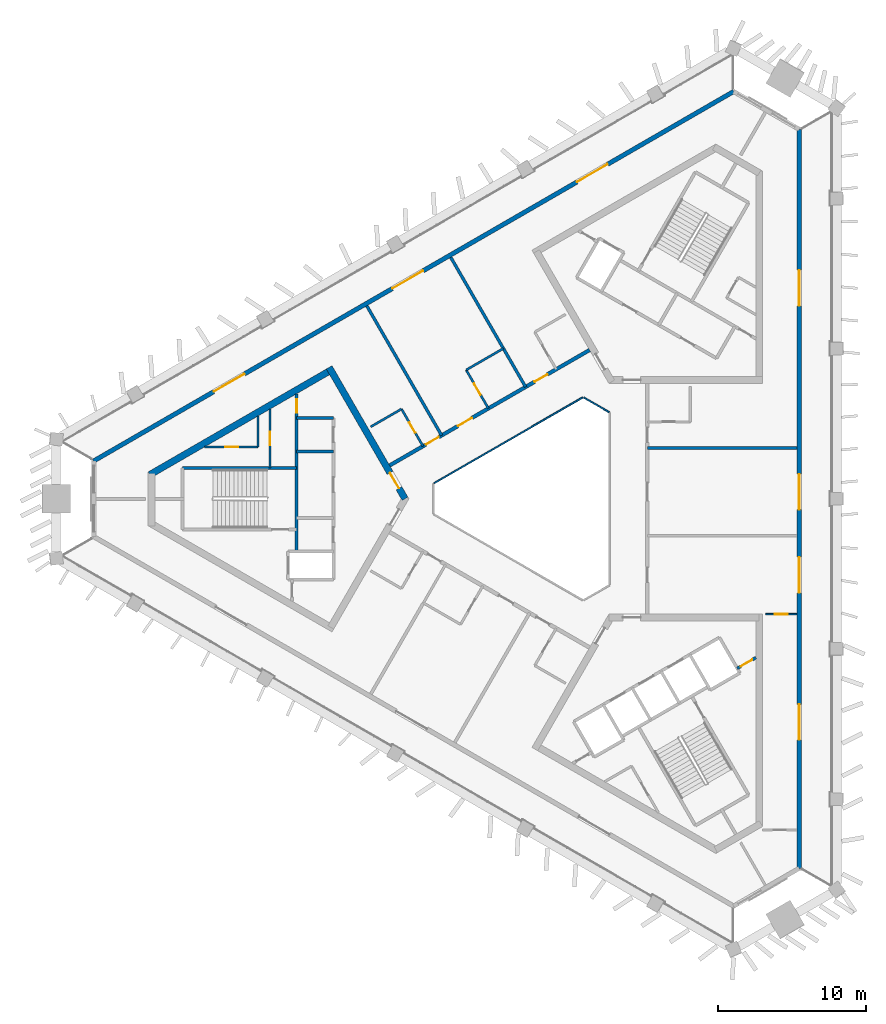
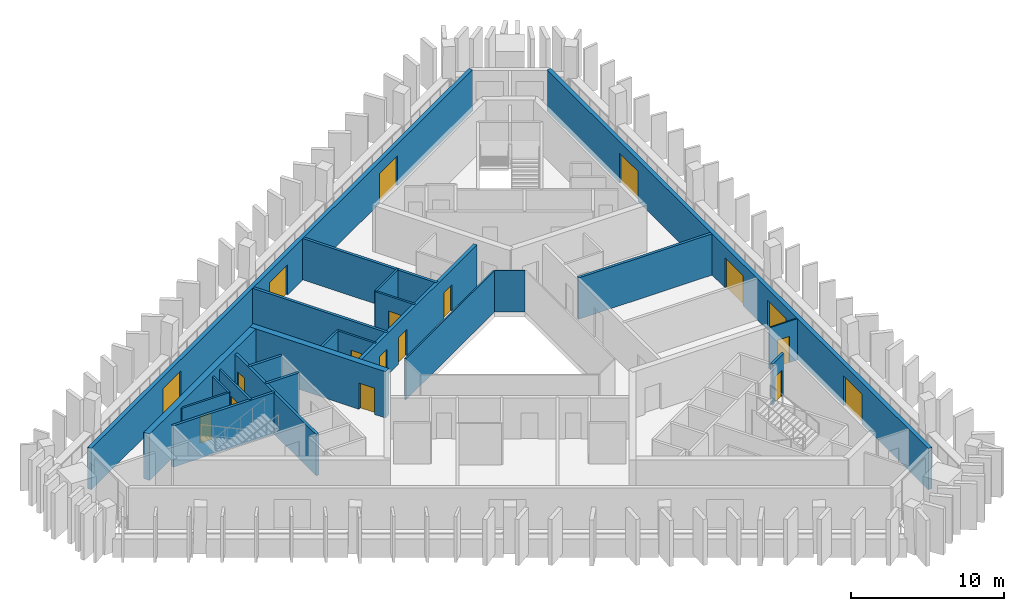
# One storey, part 4 of 9: 23 walls, 18 doors, 18 openings.
"""IFC4 building model written with IfcOpenShell, lengths in metres."""

from ifc_helpers import new_model, si_unit, direction, frame, frame_2d, origin, place, context, subcontext, project, spatial, rectangle, extrude, material, layer, layer_set, type_object, element, fill, save


model = new_model("IFC4")

# Units and contexts
model_context = context("Model", 3, precision=1e-05, world=origin(), true_north=direction((0.0, 1.0)))
body_context = subcontext(model_context, "Body", "Model", "MODEL_VIEW")
ifc_project = project(units=[si_unit("LENGTHUNIT", "METRE"), si_unit("AREAUNIT", "SQUARE_METRE"), si_unit("VOLUMEUNIT", "CUBIC_METRE"), si_unit("PLANEANGLEUNIT", "RADIAN"), si_unit("MASSUNIT", "GRAM", prefix="KILO")], contexts=[model_context])

# Site, building, storey
site_placement = place(None, origin())
site = spatial("IfcSite", under=ifc_project, at=site_placement, CompositionType="ELEMENT")
building_placement = place(site_placement, origin())
building = spatial("IfcBuilding", under=site, at=building_placement, Name="Jabali Bay Hotel Tower and Convention Centre", CompositionType="ELEMENT")
storey_placement = place(building_placement, frame((0.0, 0.0, 235.39990234375)))
storey = spatial("IfcBuildingStorey", under=building, at=storey_placement, Name="L58", CompositionType="ELEMENT", Elevation=235.39990234375)

# Walls
ifc_material_1 = material(Name="Fire-resistant glazing", Category="glass")
ifc_layer_1 = layer(ifc_material_1, 0.10009765625)
ifc_layer_set_1 = layer_set([ifc_layer_1], Name="Fire-resistant glazing")
wall_type_1 = type_object("IfcWallType", Name="Atrium glazed screen 100", PredefinedType="PARTITIONING", material=ifc_layer_set_1)
wall_1_placement = place(storey_placement, frame((79.530029296875, 85.84619140625, 0.0), z_axis=(0.0, 0.0, 1.0), x_axis=(-0.866041268327, 0.499972520799, 0.0)))
element("IfcWall", 1, at=wall_1_placement, inside=storey, type_object=wall_type_1, Name="Atrium screen 2 L58", PredefinedType="PARTITIONING", context=body_context, shape_type="SweptSolid", body=[
    extrude(rectangle(XDim=2.0, YDim=0.10009765625, at=frame_2d((1.0, 0.0))), origin(), (0.0, 0.0, 1.0), 3.300048828125),
])
wall_2_placement = place(storey_placement, frame((77.738037109375, 86.84619140625, 0.0), z_axis=(0.0, 0.0, 1.0), x_axis=(-0.866026658274, -0.499997827154, 0.0)))
element("IfcWall", 2, at=wall_2_placement, inside=storey, type_object=wall_type_1, Name="Atrium screen 3 L58", PredefinedType="PARTITIONING", context=body_context, shape_type="SweptSolid", body=[
    extrude(rectangle(XDim=11.58837890625, YDim=0.10009765625, at=frame_2d((5.794189453125, 0.0))), origin(), (0.0, 0.0, 1.0), 3.300048828125),
])

# Wall, opening, door
ifc_material_2 = material(Name="Concrete C40", Category="concrete")
ifc_layer_2 = layer(ifc_material_2, 0.199951171875)
ifc_layer_set_2 = layer_set([ifc_layer_2], Name="Concrete C40")
wall_type_2 = type_object("IfcWallType", Name="Core partition wall 200", PredefinedType="PARTITIONING", material=ifc_layer_set_2)
wall_3_placement = place(storey_placement, frame((88.164794921875, 68.548095703125, 0.0), z_axis=(0.0, 0.0, 1.0), x_axis=(0.866013036001, 0.500021421018, 0.0)))
wall_3 = element("IfcWall", 3, at=wall_3_placement, inside=storey, type_object=wall_type_2, Name="Core wall 2.12 L58", PredefinedType="PARTITIONING", context=body_context, shape_type="SweptSolid", body=[
    extrude(rectangle(XDim=1.4609375, YDim=0.199951171875, at=frame_2d((0.73046875, 0.0))), origin(), (0.0, 0.0, 1.0), 3.300048828125),
])
opening_1_placement = place(wall_3_placement, frame((0.280517578125, 0.0, 0.0)))
opening_1 = element("IfcOpeningElement", 4, at=opening_1_placement, cuts=wall_3, Name="Opening D1277", PredefinedType="OPENING", context=body_context, shape_type="SweptSolid", body=[
    extrude(rectangle(XDim=0.89990234375, YDim=2.10009765625, at=frame_2d((0.449951171875, 1.050048828125))), frame((0.0, 0.1103515625, 0.0), z_axis=(0.0, -1.0, 0.0), x_axis=(1.0, 0.0, 0.0)), (0.0, 0.0, 1.0), 0.220947265625),
])
ifc_material_3 = material(Name="Fire-rated steel door", Category="steel")
door_type_1 = type_object("IfcDoorType", Name="Vestibule fire door 900 x 2100", OperationType="NOTDEFINED", PredefinedType="NOTDEFINED", material=ifc_material_3)
door_1_placement = place(opening_1_placement, origin())
door_1 = element("IfcDoor", 5, at=door_1_placement, inside=storey, type_object=door_type_1, Name="Vestibule fire door D1277", OperationType="SINGLE_SWING_LEFT", OverallHeight=2.10009765625, OverallWidth=0.89990234375, PredefinedType="NOTDEFINED", context=body_context, shape_type="SweptSolid", body=[
    extrude(rectangle(XDim=0.89990234375, YDim=2.10009765625, at=frame_2d((0.449951171875, 1.050048828125))), frame((0.0, 0.02490234375, 0.0), z_axis=(0.0, -1.0, 0.0), x_axis=(1.0, 0.0, 0.0)), (0.0, 0.0, 1.0), 0.050048828125),
])
fill(opening_1, door_1)

ifc_material_4 = material(Name="Fire-rated board partition")
ifc_layer_3 = layer(ifc_material_4, 0.14990234375)
ifc_layer_set_3 = layer_set([ifc_layer_3], Name="Fire-rated board partition")
wall_type_3 = type_object("IfcWallType", Name="Core room partition 150", PredefinedType="PARTITIONING", material=ifc_layer_set_3)
wall_4_placement = place(storey_placement, frame((55.820068359375, 83.5, 0.0), z_axis=(0.0, 0.0, 1.0), x_axis=(-1.0, 0.0, 0.0)))
wall_4 = element("IfcWall", 6, at=wall_4_placement, inside=storey, type_object=wall_type_3, Name="Core wall 0.1 L58", PredefinedType="PARTITIONING", context=body_context, shape_type="SweptSolid", body=[
    extrude(rectangle(XDim=3.617919921875, YDim=0.14990234375, at=frame_2d((1.80908203125, 0.0))), origin(), (0.0, 0.0, 1.0), 3.300048828125),
])
opening_2_placement = place(wall_4_placement, frame((1.33154296875, 0.0, 0.0)))
opening_2 = element("IfcOpeningElement", 7, at=opening_2_placement, cuts=wall_4, Name="Opening D1266", PredefinedType="OPENING", context=body_context, shape_type="SweptSolid", body=[
    extrude(rectangle(XDim=0.89990234375, YDim=2.10009765625, at=frame_2d((0.449951171875, 1.050048828125))), frame((0.0, 0.08544921875, 0.0), z_axis=(0.0, -1.0, 0.0), x_axis=(1.0, 0.0, 0.0)), (0.0, 0.0, 1.0), 0.1708984375),
])
door_type_2 = type_object("IfcDoorType", Name="Core room door 900 x 2100", OperationType="NOTDEFINED", PredefinedType="NOTDEFINED", material=ifc_material_3)
door_2_placement = place(opening_2_placement, origin())
door_2 = element("IfcDoor", 8, at=door_2_placement, inside=storey, type_object=door_type_2, Name="Core room door D1266", OperationType="SINGLE_SWING_LEFT", OverallHeight=2.10009765625, OverallWidth=0.89990234375, PredefinedType="NOTDEFINED", context=body_context, shape_type="SweptSolid", body=[
    extrude(rectangle(XDim=0.89990234375, YDim=2.10009765625, at=frame_2d((0.449951171875, 1.050048828125))), frame((0.0, 0.02490234375, 0.0), z_axis=(0.0, -1.0, 0.0), x_axis=(1.0, 0.0, 0.0)), (0.0, 0.0, 1.0), 0.050048828125),
])
fill(opening_2, door_2)

wall_5_placement = place(storey_placement, frame((56.6201171875, 86.050537109375, 0.0), z_axis=(0.0, 0.0, 1.0), x_axis=(0.0, -1.0, 0.0)))
wall_5 = element("IfcWall", 9, at=wall_5_placement, inside=storey, type_object=wall_type_3, Name="Core wall 0.13 L58", PredefinedType="PARTITIONING", context=body_context, shape_type="SweptSolid", body=[
    extrude(rectangle(XDim=3.9755859375, YDim=0.14990234375, at=frame_2d((1.98779296875, 0.0))), origin(), (0.0, 0.0, 1.0), 3.300048828125),
])
opening_3_placement = place(wall_5_placement, frame((1.537841796875, 0.0, 0.0)))
opening_3 = element("IfcOpeningElement", 10, at=opening_3_placement, cuts=wall_5, Name="Opening D1262", PredefinedType="OPENING", context=body_context, shape_type="SweptSolid", body=[
    extrude(rectangle(XDim=0.89990234375, YDim=2.10009765625, at=frame_2d((0.449951171875, 1.050048828125))), frame((0.0, 0.08544921875, 0.0), z_axis=(0.0, -1.0, 0.0), x_axis=(1.0, 0.0, 0.0)), (0.0, 0.0, 1.0), 0.1708984375),
])
door_3_placement = place(opening_3_placement, origin())
door_3 = element("IfcDoor", 11, at=door_3_placement, inside=storey, type_object=door_type_2, Name="Core room door D1262", OperationType="SINGLE_SWING_RIGHT", OverallHeight=2.10009765625, OverallWidth=0.89990234375, PredefinedType="NOTDEFINED", context=body_context, shape_type="SweptSolid", body=[
    extrude(rectangle(XDim=0.89990234375, YDim=2.10009765625, at=frame_2d((0.449951171875, 1.050048828125))), frame((0.0, 0.02490234375, 0.0), z_axis=(0.0, -1.0, 0.0), x_axis=(1.0, 0.0, 0.0)), (0.0, 0.0, 1.0), 0.050048828125),
])
fill(opening_3, door_3)

# Walls
wall_6_placement = place(storey_placement, frame((55.820068359375, 85.5888671875, 0.0), z_axis=(0.0, 0.0, 1.0), x_axis=(0.0, -1.0, 0.0)))
element("IfcWall", 12, at=wall_6_placement, inside=storey, type_object=wall_type_3, Name="Core wall 0.14 L58", PredefinedType="PARTITIONING", context=body_context, shape_type="SweptSolid", body=[
    extrude(rectangle(XDim=2.0888671875, YDim=0.14990234375, at=frame_2d((1.04443359375, 0.0))), origin(), (0.0, 0.0, 1.0), 3.300048828125),
])
ifc_layer_4 = layer(ifc_material_2, 0.199951171875)
ifc_layer_set_4 = layer_set([ifc_layer_4], Name="Concrete C40")
wall_type_4 = type_object("IfcWallType", Name="Core stair wall 200", PredefinedType="SOLIDWALL", material=ifc_layer_set_4)
for number, where, z_axis, x_axis, name in (
    (13, (60.89990234375, 85.449951171875, 0.0), (0.0, 0.0, 1.0), (-1.0, 0.0, 0.0), "Core wall 0.0 L58"),
    (14, (60.89990234375, 83.199951171875, 0.0), (0.0, 0.0, 1.0), (-1.0, 0.0, 0.0), "Core wall 0.2 L58"),
):
    element("IfcWall", number, at=place(storey_placement, frame(where, z_axis=z_axis, x_axis=x_axis)), inside=storey, type_object=wall_type_4, Name=name, PredefinedType="SOLIDWALL", context=body_context, shape_type="SweptSolid", body=[
        extrude(rectangle(XDim=2.47998046875, YDim=0.199951171875, at=frame_2d((1.239990234375, 0.0))), origin(), (0.0, 0.0, 1.0), 3.300048828125),
    ])
wall_7_placement = place(storey_placement, frame((58.419921875, 82.074951171875, 0.0), z_axis=(0.0, 0.0, 1.0), x_axis=(-1.0, 0.0, 0.0)))
element("IfcWall", 15, at=wall_7_placement, inside=storey, type_object=wall_type_4, Name="Core wall 0.3 L58", PredefinedType="SOLIDWALL", context=body_context, shape_type="SweptSolid", body=[
    extrude(rectangle(XDim=7.699951171875, YDim=0.199951171875, at=frame_2d((3.85009765625, 0.0))), origin(), (0.0, 0.0, 1.0), 3.300048828125),
])

# Wall, opening, door
wall_8_placement = place(storey_placement, frame((58.419921875, 87.08984375, 0.0), z_axis=(0.0, 0.0, 1.0), x_axis=(0.0, -1.0, 0.0)))
wall_8 = element("IfcWall", 16, at=wall_8_placement, inside=storey, type_object=wall_type_4, Name="Core wall 0.10 L58", PredefinedType="SOLIDWALL", context=body_context, shape_type="SweptSolid", body=[
    extrude(rectangle(XDim=10.639892578125, YDim=0.199951171875, at=frame_2d((5.31982421875, 0.0))), origin(), (0.0, 0.0, 1.0), 3.300048828125),
])
opening_4_placement = place(wall_8_placement, frame((0.369873046875, 0.0, 0.0)))
opening_4 = element("IfcOpeningElement", 17, at=opening_4_placement, cuts=wall_8, Name="Opening D1264", PredefinedType="OPENING", context=body_context, shape_type="SweptSolid", body=[
    extrude(rectangle(XDim=0.89990234375, YDim=2.10009765625, at=frame_2d((0.449951171875, 1.050048828125))), frame((0.0, 0.1103515625, 0.0), z_axis=(0.0, -1.0, 0.0), x_axis=(1.0, 0.0, 0.0)), (0.0, 0.0, 1.0), 0.220947265625),
])
door_4_placement = place(opening_4_placement, origin())
door_4 = element("IfcDoor", 18, at=door_4_placement, inside=storey, type_object=door_type_1, Name="Vestibule fire door D1264", OperationType="SINGLE_SWING_LEFT", OverallHeight=2.10009765625, OverallWidth=0.89990234375, PredefinedType="NOTDEFINED", context=body_context, shape_type="SweptSolid", body=[
    extrude(rectangle(XDim=0.89990234375, YDim=2.10009765625, at=frame_2d((0.449951171875, 1.050048828125))), frame((0.0, 0.02490234375, 0.0), z_axis=(0.0, -1.0, 0.0), x_axis=(1.0, 0.0, 0.0)), (0.0, 0.0, 1.0), 0.050048828125),
])
fill(opening_4, door_4)

ifc_material_5 = material(Name="Concrete C60", Category="concrete")
ifc_layer_5 = layer(ifc_material_5, 0.449951171875)
ifc_layer_set_5 = layer_set([ifc_layer_5], Name="Concrete C60")
wall_type_5 = type_object("IfcWallType", Name="Core wall 450", PredefinedType="SHEAR", material=ifc_layer_set_5)
wall_9_placement = place(storey_placement, frame((65.740234375, 80.0, 0.0), z_axis=(0.0, 0.0, 1.0), x_axis=(-0.499991857942, 0.866030104553, 0.0)))
wall_9 = element("IfcWall", 19, at=wall_9_placement, inside=storey, type_object=wall_type_5, Name="Core wall 1.1 L58", PredefinedType="SHEAR", context=body_context, shape_type="SweptSolid", body=[
    extrude(rectangle(XDim=10.250244140625, YDim=0.449951171875, at=frame_2d((5.125, 0.0))), origin(), (0.0, 0.0, 1.0), 3.7001953125),
])
opening_5_placement = place(wall_9_placement, frame((0.820068359375, 0.0, 0.0)))
opening_5 = element("IfcOpeningElement", 20, at=opening_5_placement, cuts=wall_9, Name="Opening D1257", PredefinedType="OPENING", context=body_context, shape_type="SweptSolid", body=[
    extrude(rectangle(XDim=1.199951171875, YDim=2.10009765625, at=frame_2d((0.60009765625, 1.050048828125))), frame((0.0, 0.2353515625, 0.0), z_axis=(0.0, -1.0, 0.0), x_axis=(1.0, 0.0, 0.0)), (0.0, 0.0, 1.0), 0.470947265625),
])
door_type_3 = type_object("IfcDoorType", Name="Corridor end fire door 1200 x 2100", OperationType="NOTDEFINED", PredefinedType="NOTDEFINED", material=ifc_material_3)
door_5_placement = place(opening_5_placement, origin())
door_5 = element("IfcDoor", 21, at=door_5_placement, inside=storey, type_object=door_type_3, Name="Corridor end fire door D1257", OperationType="SINGLE_SWING_RIGHT", OverallHeight=2.10009765625, OverallWidth=1.199951171875, PredefinedType="NOTDEFINED", context=body_context, shape_type="SweptSolid", body=[
    extrude(rectangle(XDim=1.199951171875, YDim=2.10009765625, at=frame_2d((0.60009765625, 1.050048828125))), frame((0.0, 0.02490234375, 0.0), z_axis=(0.0, -1.0, 0.0), x_axis=(1.0, 0.0, 0.0)), (0.0, 0.0, 1.0), 0.050048828125),
])
fill(opening_5, door_5)

# Wall
wall_10_placement = place(storey_placement, frame((60.7275390625, 88.681884765625, 0.0), z_axis=(0.0, 0.0, 1.0), x_axis=(-0.866021613849, -0.500006564303, 0.0)))
element("IfcWall", 22, at=wall_10_placement, inside=storey, type_object=wall_type_5, Name="Core wall 1.2 L58", PredefinedType="SHEAR", context=body_context, shape_type="SweptSolid", body=[
    extrude(rectangle(XDim=14.108154296875, YDim=0.449951171875, at=frame_2d((7.05419921875, 0.0))), origin(), (0.0, 0.0, 1.0), 3.7001953125),
])

# Wall, openings, doors
ifc_layer_6 = layer(ifc_material_5, 0.25)
ifc_layer_set_6 = layer_set([ifc_layer_6], Name="Concrete C60")
wall_type_6 = type_object("IfcWallType", Name="Corridor wall 250", PredefinedType="SHEAR", material=ifc_layer_set_6)
wall_11_placement = place(storey_placement, frame((78.199951171875, 90.0458984375, 0.0), z_axis=(0.0, 0.0, 1.0), x_axis=(-0.866026492143, -0.499998114903, 0.0)))
wall_11 = element("IfcWall", 23, at=wall_11_placement, inside=storey, type_object=wall_type_6, Name="Corridor wall 2 L58", PredefinedType="SHEAR", context=body_context, shape_type="SweptSolid", body=[
    extrude(rectangle(XDim=15.58837890625, YDim=0.25, at=frame_2d((7.794189453125, 0.0))), origin(), (0.0, 0.0, 1.0), 3.300048828125),
])
opening_6_placement = place(wall_11_placement, frame((3.294189453125, 0.0, 0.0)))
opening_6 = element("IfcOpeningElement", 24, at=opening_6_placement, cuts=wall_11, Name="Opening 5808", PredefinedType="OPENING", context=body_context, shape_type="SweptSolid", body=[
    extrude(rectangle(XDim=1.0, YDim=2.10009765625, at=frame_2d((0.5, 1.050048828125))), frame((0.0, 0.135498046875, 0.0), z_axis=(0.0, -1.0, 0.0), x_axis=(1.0, 0.0, 0.0)), (0.0, 0.0, 1.0), 0.27099609375),
])
opening_7_placement = place(wall_11_placement, frame((9.161865234375, 0.0, 0.0)))
opening_7 = element("IfcOpeningElement", 25, at=opening_7_placement, cuts=wall_11, Name="Opening 5810", PredefinedType="OPENING", context=body_context, shape_type="SweptSolid", body=[
    extrude(rectangle(XDim=1.10009765625, YDim=2.10009765625, at=frame_2d((0.550048828125, 1.050048828125))), frame((0.0, 0.135498046875, 0.0), z_axis=(0.0, -1.0, 0.0), x_axis=(1.0, 0.0, 0.0)), (0.0, 0.0, 1.0), 0.27099609375),
])
opening_8_placement = place(wall_11_placement, frame((11.761962890625, 0.0, 0.0)))
opening_8 = element("IfcOpeningElement", 26, at=opening_8_placement, cuts=wall_11, Name="Opening 5812", PredefinedType="OPENING", context=body_context, shape_type="SweptSolid", body=[
    extrude(rectangle(XDim=1.0, YDim=2.10009765625, at=frame_2d((0.5, 1.050048828125))), frame((0.0, 0.135498046875, 0.0), z_axis=(0.0, -1.0, 0.0), x_axis=(1.0, 0.0, 0.0)), (0.0, 0.0, 1.0), 0.27099609375),
])
ifc_material_6 = material(Name="Timber", Category="wood")
door_type_4 = type_object("IfcDoorType", Name="Accessible guest room door 1100 x 2100", OperationType="NOTDEFINED", PredefinedType="NOTDEFINED", material=ifc_material_6)
door_6_placement = place(opening_7_placement, origin())
door_6 = element("IfcDoor", 27, at=door_6_placement, inside=storey, type_object=door_type_4, Name="Door 5810", OperationType="SINGLE_SWING_RIGHT", OverallHeight=2.10009765625, OverallWidth=1.10009765625, PredefinedType="NOTDEFINED", context=body_context, shape_type="SweptSolid", body=[
    extrude(rectangle(XDim=1.10009765625, YDim=2.10009765625, at=frame_2d((0.550048828125, 1.050048828125))), frame((0.0, 0.02490234375, 0.0), z_axis=(0.0, -1.0, 0.0), x_axis=(1.0, 0.0, 0.0)), (0.0, 0.0, 1.0), 0.050048828125),
])
fill(opening_7, door_6)
door_type_5 = type_object("IfcDoorType", Name="Guest room door 1000 x 2100", OperationType="NOTDEFINED", PredefinedType="NOTDEFINED", material=ifc_material_6)
door_7_placement = place(opening_6_placement, origin())
door_7 = element("IfcDoor", 28, at=door_7_placement, inside=storey, type_object=door_type_5, Name="Door 5808", OperationType="SINGLE_SWING_LEFT", OverallHeight=2.10009765625, OverallWidth=1.0, PredefinedType="NOTDEFINED", context=body_context, shape_type="SweptSolid", body=[
    extrude(rectangle(XDim=1.0, YDim=2.10009765625, at=frame_2d((0.5, 1.050048828125))), frame((0.0, 0.02490234375, 0.0), z_axis=(0.0, -1.0, 0.0), x_axis=(1.0, 0.0, 0.0)), (0.0, 0.0, 1.0), 0.050048828125),
])
fill(opening_6, door_7)
door_8_placement = place(opening_8_placement, origin())
door_8 = element("IfcDoor", 29, at=door_8_placement, inside=storey, type_object=door_type_5, Name="Door 5812", OperationType="SINGLE_SWING_RIGHT", OverallHeight=2.10009765625, OverallWidth=1.0, PredefinedType="NOTDEFINED", context=body_context, shape_type="SweptSolid", body=[
    extrude(rectangle(XDim=1.0, YDim=2.10009765625, at=frame_2d((0.5, 1.050048828125))), frame((0.0, 0.02490234375, 0.0), z_axis=(0.0, -1.0, 0.0), x_axis=(1.0, 0.0, 0.0)), (0.0, 0.0, 1.0), 0.050048828125),
])
fill(opening_8, door_8)

ifc_layer_7 = layer(ifc_material_2, 0.300048828125)
ifc_layer_set_7 = layer_set([ifc_layer_7], Name="Concrete C40")
wall_type_7 = type_object("IfcWallType", Name="External wall 300", PredefinedType="SOLIDWALL", material=ifc_layer_set_7)
wall_12_placement = place(storey_placement, frame((92.353271484375, 104.95166015625, 0.0), z_axis=(0.0, 0.0, 1.0), x_axis=(0.0, -1.0, 0.0)))
wall_12 = element("IfcWall", 30, at=wall_12_placement, inside=storey, type_object=wall_type_7, Name="External wall east face L58", PredefinedType="SOLIDWALL", context=body_context, shape_type="SweptSolid", body=[
    extrude(rectangle(XDim=49.9033203125, YDim=0.300048828125, at=frame_2d((24.95166015625, 0.0))), origin(), (0.0, 0.0, 1.0), 3.300048828125),
])
opening_9_placement = place(wall_12_placement, frame((28.895751953125, 0.0, 0.0)))
opening_9 = element("IfcOpeningElement", 31, at=opening_9_placement, cuts=wall_12, Name="Opening SD1", PredefinedType="OPENING", context=body_context, shape_type="SweptSolid", body=[
    extrude(rectangle(XDim=2.39990234375, YDim=2.39990234375, at=frame_2d((1.199951171875, 1.199951171875))), frame((0.0, 0.16064453125, 0.0), z_axis=(0.0, -1.0, 0.0), x_axis=(1.0, 0.0, 0.0)), (0.0, 0.0, 1.0), 0.321044921875),
])
opening_10_placement = place(wall_12_placement, frame((38.83642578125, 0.0, 0.0)))
opening_10 = element("IfcOpeningElement", 32, at=opening_10_placement, cuts=wall_12, Name="Opening SD1", PredefinedType="OPENING", context=body_context, shape_type="SweptSolid", body=[
    extrude(rectangle(XDim=2.39990234375, YDim=2.39990234375, at=frame_2d((1.199951171875, 1.199951171875))), frame((0.0, 0.16064453125, 0.0), z_axis=(0.0, -1.0, 0.0), x_axis=(1.0, 0.0, 0.0)), (0.0, 0.0, 1.0), 0.321044921875),
])
opening_11_placement = place(wall_12_placement, frame((9.517822265625, 0.0, 0.0)))
opening_11 = element("IfcOpeningElement", 33, at=opening_11_placement, cuts=wall_12, Name="Opening SD1", PredefinedType="OPENING", context=body_context, shape_type="SweptSolid", body=[
    extrude(rectangle(XDim=2.39990234375, YDim=2.39990234375, at=frame_2d((1.199951171875, 1.199951171875))), frame((0.0, 0.16064453125, 0.0), z_axis=(0.0, -1.0, 0.0), x_axis=(1.0, 0.0, 0.0)), (0.0, 0.0, 1.0), 0.321044921875),
])
opening_12_placement = place(wall_12_placement, frame((23.283935546875, 0.0, 0.0)))
opening_12 = element("IfcOpeningElement", 34, at=opening_12_placement, cuts=wall_12, Name="Opening SD1", PredefinedType="OPENING", context=body_context, shape_type="SweptSolid", body=[
    extrude(rectangle(XDim=2.39990234375, YDim=2.39990234375, at=frame_2d((1.199951171875, 1.199951171875))), frame((0.0, 0.16064453125, 0.0), z_axis=(0.0, -1.0, 0.0), x_axis=(1.0, 0.0, 0.0)), (0.0, 0.0, 1.0), 0.321044921875),
])
ifc_material_7 = material(Name="Glass", Category="glass")
door_type_6 = type_object("IfcDoorType", Name="Loggia sliding door 2400 x 2400", OperationType="NOTDEFINED", PredefinedType="NOTDEFINED", material=ifc_material_7)
door_9_placement = place(opening_9_placement, origin())
door_9 = element("IfcDoor", 35, at=door_9_placement, inside=storey, type_object=door_type_6, Name="Loggia sliding door 5801", OperationType="SLIDING_TO_LEFT", OverallHeight=2.39990234375, OverallWidth=2.39990234375, PredefinedType="NOTDEFINED", context=body_context, shape_type="SweptSolid", body=[
    extrude(rectangle(XDim=2.39990234375, YDim=2.39990234375, at=frame_2d((1.199951171875, 1.199951171875))), frame((0.0, 0.02490234375, 0.0), z_axis=(0.0, -1.0, 0.0), x_axis=(1.0, 0.0, 0.0)), (0.0, 0.0, 1.0), 0.050048828125),
])
fill(opening_9, door_9)
door_10_placement = place(opening_10_placement, origin())
door_10 = element("IfcDoor", 36, at=door_10_placement, inside=storey, type_object=door_type_6, Name="Loggia sliding door 5801", OperationType="SLIDING_TO_RIGHT", OverallHeight=2.39990234375, OverallWidth=2.39990234375, PredefinedType="NOTDEFINED", context=body_context, shape_type="SweptSolid", body=[
    extrude(rectangle(XDim=2.39990234375, YDim=2.39990234375, at=frame_2d((1.199951171875, 1.199951171875))), frame((0.0, 0.02490234375, 0.0), z_axis=(0.0, -1.0, 0.0), x_axis=(1.0, 0.0, 0.0)), (0.0, 0.0, 1.0), 0.050048828125),
])
fill(opening_10, door_10)
door_11_placement = place(opening_11_placement, origin())
door_11 = element("IfcDoor", 37, at=door_11_placement, inside=storey, type_object=door_type_6, Name="Loggia sliding door 5802", OperationType="SLIDING_TO_LEFT", OverallHeight=2.39990234375, OverallWidth=2.39990234375, PredefinedType="NOTDEFINED", context=body_context, shape_type="SweptSolid", body=[
    extrude(rectangle(XDim=2.39990234375, YDim=2.39990234375, at=frame_2d((1.199951171875, 1.199951171875))), frame((0.0, 0.02490234375, 0.0), z_axis=(0.0, -1.0, 0.0), x_axis=(1.0, 0.0, 0.0)), (0.0, 0.0, 1.0), 0.050048828125),
])
fill(opening_11, door_11)
door_12_placement = place(opening_12_placement, origin())
door_12 = element("IfcDoor", 38, at=door_12_placement, inside=storey, type_object=door_type_6, Name="Loggia sliding door", OperationType="SLIDING_TO_RIGHT", OverallHeight=2.39990234375, OverallWidth=2.39990234375, PredefinedType="NOTDEFINED", context=body_context, shape_type="SweptSolid", body=[
    extrude(rectangle(XDim=2.39990234375, YDim=2.39990234375, at=frame_2d((1.199951171875, 1.199951171875))), frame((0.0, 0.02490234375, 0.0), z_axis=(0.0, -1.0, 0.0), x_axis=(1.0, 0.0, 0.0)), (0.0, 0.0, 1.0), 0.050048828125),
])
fill(opening_12, door_12)

wall_13_placement = place(storey_placement, frame((44.714599609375, 82.552490234375, 0.0), z_axis=(0.0, 0.0, 1.0), x_axis=(0.866025334516, 0.500000119977, 0.0)))
wall_13 = element("IfcWall", 39, at=wall_13_placement, inside=storey, type_object=wall_type_7, Name="External wall north-west face L58", PredefinedType="SOLIDWALL", context=body_context, shape_type="SweptSolid", body=[
    extrude(rectangle(XDim=49.9033203125, YDim=0.300048828125, at=frame_2d((24.95166015625, 0.0))), origin(), (0.0, 0.0, 1.0), 3.300048828125),
])
opening_13_placement = place(wall_13_placement, frame((23.283935546875, 0.0, 0.0)))
opening_13 = element("IfcOpeningElement", 40, at=opening_13_placement, cuts=wall_13, Name="Opening SD1", PredefinedType="OPENING", context=body_context, shape_type="SweptSolid", body=[
    extrude(rectangle(XDim=2.39990234375, YDim=2.39990234375, at=frame_2d((1.199951171875, 1.199951171875))), frame((0.0, 0.16064453125, 0.0), z_axis=(0.0, -1.0, 0.0), x_axis=(1.0, 0.0, 0.0)), (0.0, 0.0, 1.0), 0.321044921875),
])
opening_14_placement = place(wall_13_placement, frame((37.673583984375, 0.0, 0.0)))
opening_14 = element("IfcOpeningElement", 41, at=opening_14_placement, cuts=wall_13, Name="Opening SD1", PredefinedType="OPENING", context=body_context, shape_type="SweptSolid", body=[
    extrude(rectangle(XDim=2.39990234375, YDim=2.39990234375, at=frame_2d((1.199951171875, 1.199951171875))), frame((0.0, 0.16064453125, 0.0), z_axis=(0.0, -1.0, 0.0), x_axis=(1.0, 0.0, 0.0)), (0.0, 0.0, 1.0), 0.321044921875),
])
opening_15_placement = place(wall_13_placement, frame((9.36181640625, 0.0, 0.0)))
opening_15 = element("IfcOpeningElement", 42, at=opening_15_placement, cuts=wall_13, Name="Opening SD1", PredefinedType="OPENING", context=body_context, shape_type="SweptSolid", body=[
    extrude(rectangle(XDim=2.39990234375, YDim=2.39990234375, at=frame_2d((1.199951171875, 1.199951171875))), frame((0.0, 0.16064453125, 0.0), z_axis=(0.0, -1.0, 0.0), x_axis=(1.0, 0.0, 0.0)), (0.0, 0.0, 1.0), 0.321044921875),
])
door_13_placement = place(opening_13_placement, origin())
door_13 = element("IfcDoor", 43, at=door_13_placement, inside=storey, type_object=door_type_6, Name="Loggia sliding door 5804", OperationType="SLIDING_TO_LEFT", OverallHeight=2.39990234375, OverallWidth=2.39990234375, PredefinedType="NOTDEFINED", context=body_context, shape_type="SweptSolid", body=[
    extrude(rectangle(XDim=2.39990234375, YDim=2.39990234375, at=frame_2d((1.199951171875, 1.199951171875))), frame((0.0, 0.02490234375, 0.0), z_axis=(0.0, -1.0, 0.0), x_axis=(1.0, 0.0, 0.0)), (0.0, 0.0, 1.0), 0.050048828125),
])
fill(opening_13, door_13)
door_14_placement = place(opening_14_placement, origin())
door_14 = element("IfcDoor", 44, at=door_14_placement, inside=storey, type_object=door_type_6, Name="Loggia sliding door 5803", OperationType="SLIDING_TO_RIGHT", OverallHeight=2.39990234375, OverallWidth=2.39990234375, PredefinedType="NOTDEFINED", context=body_context, shape_type="SweptSolid", body=[
    extrude(rectangle(XDim=2.39990234375, YDim=2.39990234375, at=frame_2d((1.199951171875, 1.199951171875))), frame((0.0, 0.02490234375, 0.0), z_axis=(0.0, -1.0, 0.0), x_axis=(1.0, 0.0, 0.0)), (0.0, 0.0, 1.0), 0.050048828125),
])
fill(opening_14, door_14)
door_15_placement = place(opening_15_placement, origin())
door_15 = element("IfcDoor", 45, at=door_15_placement, inside=storey, type_object=door_type_6, Name="Loggia sliding door 5805", OperationType="SLIDING_TO_LEFT", OverallHeight=2.39990234375, OverallWidth=2.39990234375, PredefinedType="NOTDEFINED", context=body_context, shape_type="SweptSolid", body=[
    extrude(rectangle(XDim=2.39990234375, YDim=2.39990234375, at=frame_2d((1.199951171875, 1.199951171875))), frame((0.0, 0.02490234375, 0.0), z_axis=(0.0, -1.0, 0.0), x_axis=(1.0, 0.0, 0.0)), (0.0, 0.0, 1.0), 0.050048828125),
])
fill(opening_15, door_15)

# Wall, opening, door
ifc_material_8 = material(Name="Plasterboard on steel stud", Category="steel")
ifc_layer_8 = layer(ifc_material_8, 0.10009765625)
ifc_layer_set_8 = layer_set([ifc_layer_8], Name="Plasterboard on steel stud")
wall_type_8 = type_object("IfcWallType", Name="Partition 100 unit", PredefinedType="PARTITIONING", material=ifc_layer_set_8)
wall_14_placement = place(storey_placement, frame((90.0791015625, 72.205810546875, 0.0), z_axis=(0.0, 0.0, 1.0), x_axis=(1.0, 0.0, 0.0)))
wall_14 = element("IfcWall", 46, at=wall_14_placement, inside=storey, type_object=wall_type_8, Name="Partition P02 L58 001", PredefinedType="PARTITIONING", context=body_context, shape_type="SweptSolid", body=[
    extrude(rectangle(XDim=2.125, YDim=0.10009765625, at=frame_2d((1.0625, 0.0))), origin(), (0.0, 0.0, 1.0), 3.300048828125),
])
opening_16_placement = place(wall_14_placement, frame((0.613037109375, 0.0, 0.0)))
opening_16 = element("IfcOpeningElement", 47, at=opening_16_placement, cuts=wall_14, Name="Opening 5802", PredefinedType="OPENING", context=body_context, shape_type="SweptSolid", body=[
    extrude(rectangle(XDim=0.89990234375, YDim=2.10009765625, at=frame_2d((0.449951171875, 1.050048828125))), frame((0.0, 0.060546875, 0.0), z_axis=(0.0, -1.0, 0.0), x_axis=(1.0, 0.0, 0.0)), (0.0, 0.0, 1.0), 0.12109375),
])
door_type_7 = type_object("IfcDoorType", Name="Internal door 900 x 2100", OperationType="NOTDEFINED", PredefinedType="NOTDEFINED", material=ifc_material_6)
door_16_placement = place(opening_16_placement, origin())
door_16 = element("IfcDoor", 48, at=door_16_placement, inside=storey, type_object=door_type_7, Name="Door 5802", OperationType="SINGLE_SWING_RIGHT", OverallHeight=2.10009765625, OverallWidth=0.89990234375, PredefinedType="NOTDEFINED", context=body_context, shape_type="SweptSolid", body=[
    extrude(rectangle(XDim=0.89990234375, YDim=2.10009765625, at=frame_2d((0.449951171875, 1.050048828125))), frame((0.0, 0.02490234375, 0.0), z_axis=(0.0, -1.0, 0.0), x_axis=(1.0, 0.0, 0.0)), (0.0, 0.0, 1.0), 0.050048828125),
])
fill(opening_16, door_16)

ifc_layer_9 = layer(ifc_material_8, 0.14990234375)
ifc_layer_set_9 = layer_set([ifc_layer_9], Name="Plasterboard on steel stud")
wall_type_9 = type_object("IfcWallType", Name="Partition 150 wet", PredefinedType="PARTITIONING", material=ifc_layer_set_9)
wall_15_placement = place(storey_placement, frame((71.368408203125, 86.101806640625, 0.0), z_axis=(0.0, 0.0, 1.0), x_axis=(-0.50002537861, 0.866010750942, 0.0)))
wall_15 = element("IfcWall", 49, at=wall_15_placement, inside=storey, type_object=wall_type_9, Name="Partition P03 L58 012", PredefinedType="PARTITIONING", context=body_context, shape_type="SweptSolid", body=[
    extrude(rectangle(XDim=2.999755859375, YDim=0.14990234375, at=frame_2d((1.5, 0.0))), origin(), (0.0, 0.0, 1.0), 3.300048828125),
])
opening_17_placement = place(wall_15_placement, frame((1.050048828125, 0.0, 0.0)))
opening_17 = element("IfcOpeningElement", 50, at=opening_17_placement, cuts=wall_15, Name="Opening 5809", PredefinedType="OPENING", context=body_context, shape_type="SweptSolid", body=[
    extrude(rectangle(XDim=0.89990234375, YDim=2.10009765625, at=frame_2d((0.449951171875, 1.050048828125))), frame((0.0, 0.08544921875, 0.0), z_axis=(0.0, -1.0, 0.0), x_axis=(1.0, 0.0, 0.0)), (0.0, 0.0, 1.0), 0.1708984375),
])
door_type_8 = type_object("IfcDoorType", Name="Accessible en-suite door 900 x 2100", OperationType="NOTDEFINED", PredefinedType="NOTDEFINED", material=ifc_material_6)
door_17_placement = place(opening_17_placement, origin())
door_17 = element("IfcDoor", 51, at=door_17_placement, inside=storey, type_object=door_type_8, Name="Door 5809", OperationType="SINGLE_SWING_LEFT", OverallHeight=2.10009765625, OverallWidth=0.89990234375, PredefinedType="NOTDEFINED", context=body_context, shape_type="SweptSolid", body=[
    extrude(rectangle(XDim=0.89990234375, YDim=2.10009765625, at=frame_2d((0.449951171875, 1.050048828125))), frame((0.0, 0.02490234375, 0.0), z_axis=(0.0, -1.0, 0.0), x_axis=(1.0, 0.0, 0.0)), (0.0, 0.0, 1.0), 0.050048828125),
])
fill(opening_17, door_17)

# Walls
wall_16_placement = place(storey_placement, frame((69.868408203125, 88.69970703125, 0.0), z_axis=(0.0, 0.0, 1.0), x_axis=(0.865996321171, 0.50005036918, 0.0)))
element("IfcWall", 52, at=wall_16_placement, inside=storey, type_object=wall_type_9, Name="Partition P03 L58 013", PredefinedType="PARTITIONING", context=body_context, shape_type="SweptSolid", body=[
    extrude(rectangle(XDim=2.900146484375, YDim=0.14990234375, at=frame_2d((1.4501953125, 0.0))), origin(), (0.0, 0.0, 1.0), 3.300048828125),
])
wall_17_placement = place(storey_placement, frame((63.42236328125, 84.862548828125, 0.0), z_axis=(0.0, 0.0, 1.0), x_axis=(0.865994240961, 0.500053971709, 0.0)))
element("IfcWall", 53, at=wall_17_placement, inside=storey, type_object=wall_type_9, Name="Partition P03 L58 015", PredefinedType="PARTITIONING", context=body_context, shape_type="SweptSolid", body=[
    extrude(rectangle(XDim=2.401123046875, YDim=0.14990234375, at=frame_2d((1.20068359375, 0.0))), origin(), (0.0, 0.0, 1.0), 3.300048828125),
])

# Wall, opening, door
wall_18_placement = place(storey_placement, frame((65.501708984375, 86.063232421875, 0.0), z_axis=(0.0, 0.0, 1.0), x_axis=(0.499987231761, -0.866032775405, 0.0)))
wall_18 = element("IfcWall", 54, at=wall_18_placement, inside=storey, type_object=wall_type_9, Name="Partition P03 L58 016", PredefinedType="PARTITIONING", context=body_context, shape_type="SweptSolid", body=[
    extrude(rectangle(XDim=2.89990234375, YDim=0.14990234375, at=frame_2d((1.449951171875, 0.0))), origin(), (0.0, 0.0, 1.0), 3.300048828125),
])
opening_18_placement = place(wall_18_placement, frame((1.050048828125, 0.0, 0.0)))
opening_18 = element("IfcOpeningElement", 55, at=opening_18_placement, cuts=wall_18, Name="Opening 5811", PredefinedType="OPENING", context=body_context, shape_type="SweptSolid", body=[
    extrude(rectangle(XDim=0.800048828125, YDim=2.10009765625, at=frame_2d((0.39990234375, 1.050048828125))), frame((0.0, 0.08544921875, 0.0), z_axis=(0.0, -1.0, 0.0), x_axis=(1.0, 0.0, 0.0)), (0.0, 0.0, 1.0), 0.1708984375),
])
door_type_9 = type_object("IfcDoorType", Name="En-suite door 800 x 2100", OperationType="NOTDEFINED", PredefinedType="NOTDEFINED", material=ifc_material_6)
door_18_placement = place(opening_18_placement, origin())
door_18 = element("IfcDoor", 56, at=door_18_placement, inside=storey, type_object=door_type_9, Name="Door 5811", OperationType="SINGLE_SWING_RIGHT", OverallHeight=2.10009765625, OverallWidth=0.800048828125, PredefinedType="NOTDEFINED", context=body_context, shape_type="SweptSolid", body=[
    extrude(rectangle(XDim=0.800048828125, YDim=2.10009765625, at=frame_2d((0.39990234375, 1.050048828125))), frame((0.0, 0.02490234375, 0.0), z_axis=(0.0, -1.0, 0.0), x_axis=(1.0, 0.0, 0.0)), (0.0, 0.0, 1.0), 0.050048828125),
])
fill(opening_18, door_18)

# Walls
ifc_layer_10 = layer(ifc_material_8, 0.199951171875)
ifc_layer_set_10 = layer_set([ifc_layer_10], Name="Plasterboard on steel stud")
wall_type_10 = type_object("IfcWallType", Name="Partition 200 party", PredefinedType="PARTITIONING", material=ifc_layer_set_10)
wall_19_placement = place(storey_placement, frame((92.2041015625, 83.429443359375, 0.0), z_axis=(0.0, 0.0, 1.0), x_axis=(-1.0, 0.0, 0.0)))
element("IfcWall", 57, at=wall_19_placement, inside=storey, type_object=wall_type_10, Name="Partition P01 L58 005", PredefinedType="PARTITIONING", context=body_context, shape_type="SweptSolid", body=[
    extrude(rectangle(XDim=10.10400390625, YDim=0.199951171875, at=frame_2d((5.052001953125, 0.0))), origin(), (0.0, 0.0, 1.0), 3.300048828125),
])
for number, where, z_axis, x_axis, name in (
    (58, (68.827880859375, 96.30224609375, 0.0), (0.0, 0.0, 1.0), (0.499992962407, -0.866029466902, 0.0), "Partition P01 L58 011"),
    (59, (63.157958984375, 93.028564453125, 0.0), (0.0, 0.0, 1.0), (0.499992962407, -0.866029466902, 0.0), "Partition P01 L58 014"),
):
    element("IfcWall", number, at=place(storey_placement, frame(where, z_axis=z_axis, x_axis=x_axis)), inside=storey, type_object=wall_type_10, Name=name, PredefinedType="PARTITIONING", context=body_context, shape_type="SweptSolid", body=[
        extrude(rectangle(XDim=10.104248046875, YDim=0.199951171875, at=frame_2d((5.05224609375, 0.0))), origin(), (0.0, 0.0, 1.0), 3.300048828125),
    ])

save(model, "model.ifc")
